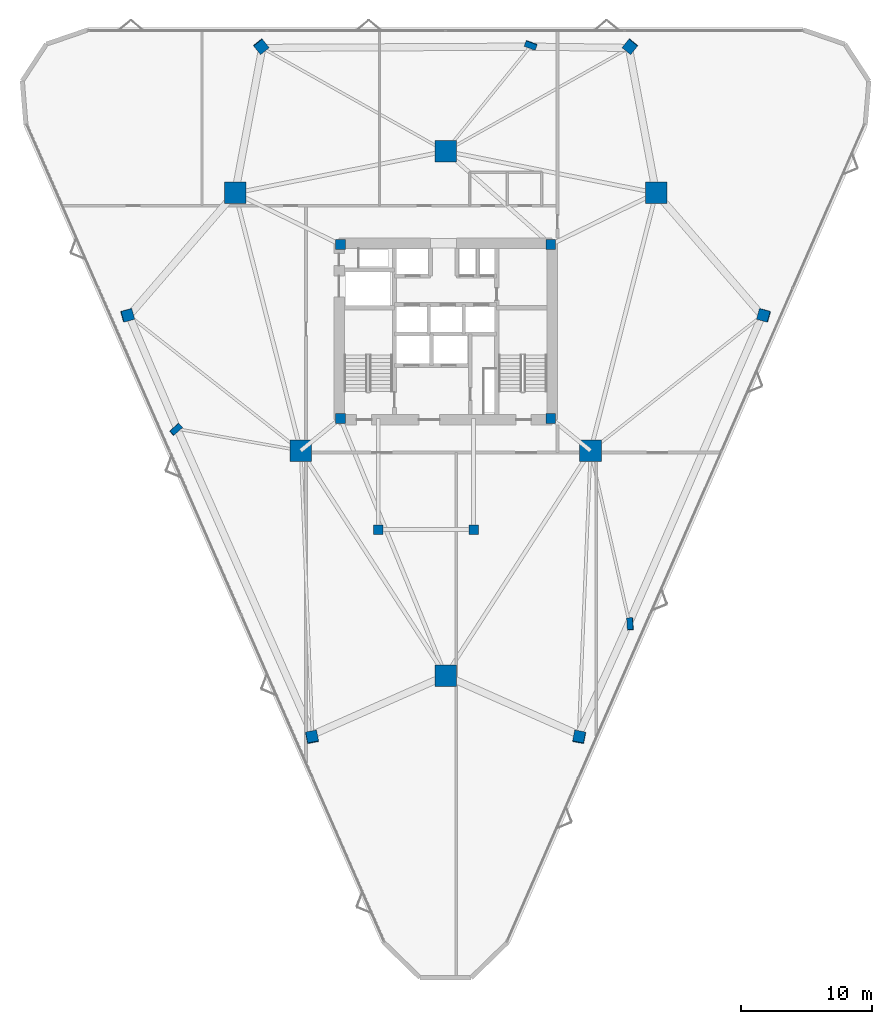
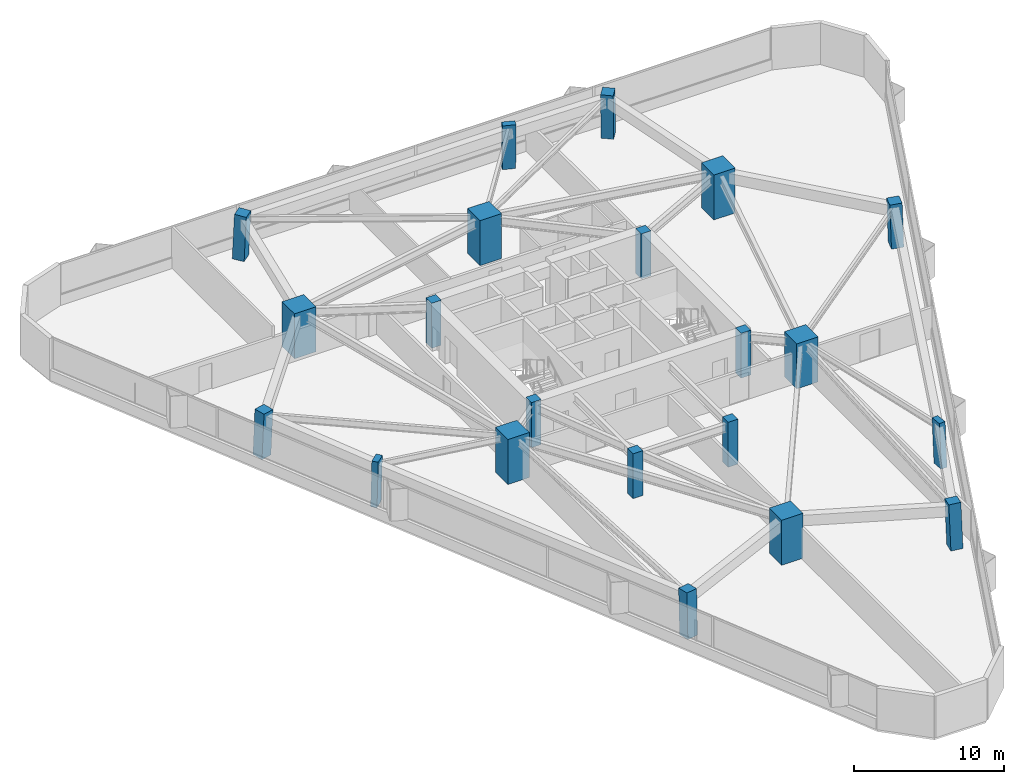
# One storey, part 1 of 20: 21 columns.
"""IFC4 building model written with IfcOpenShell, lengths in metres."""

from ifc_helpers import new_model, si_unit, direction, frame, origin, origin_2d, place, context, subcontext, project, spatial, rectangle, extrude, material, material_profile, profile_set, type_object, element, save


model = new_model("IFC4")

# Units and contexts
model_context = context("Model", 3, precision=1e-05, world=origin(), true_north=direction((0.0, 1.0)))
body_context = subcontext(model_context, "Body", "Model", "MODEL_VIEW")
ifc_project = project(units=[si_unit("LENGTHUNIT", "METRE"), si_unit("AREAUNIT", "SQUARE_METRE"), si_unit("VOLUMEUNIT", "CUBIC_METRE"), si_unit("PLANEANGLEUNIT", "RADIAN"), si_unit("MASSUNIT", "GRAM", prefix="KILO")], contexts=[model_context])

# Site, building, storey
site_placement = place(None, origin())
site = spatial("IfcSite", under=ifc_project, at=site_placement, CompositionType="ELEMENT")
building_placement = place(site_placement, origin())
building = spatial("IfcBuilding", under=site, at=building_placement, Name="Talyreon Biosciences Tower", CompositionType="ELEMENT")
storey_placement = place(building_placement, frame((0.0, 0.0, 75.0)))
storey = spatial("IfcBuildingStorey", under=building, at=storey_placement, Name="L19", CompositionType="ELEMENT", Elevation=75.0)

# Columns
ifc_material_1 = material(Name="Precast concrete C45/55", Category="concrete")
ifc_material_profile_1 = material_profile(ifc_material_1, rectangle(XDim=0.89990234375, YDim=0.449951171875, at=origin_2d()), Name="RC 900x450")
ifc_profile_set_1 = profile_set([ifc_material_profile_1], Name="Precast concrete C45/55")
column_type_1 = type_object("IfcColumnType", Name="FacadePilaster_900x450", PredefinedType="PILASTER", material=ifc_profile_set_1)
column_1_placement = place(storey_placement, frame((80.12353515625, 45.605712890625, 0.0029296875), z_axis=(-0.019611953815, 0.038353752683, 0.999071749637), x_axis=(0.059888729762, -0.997424565309, 0.039466144563)))
element("IfcColumn", 1, at=column_1_placement, inside=storey, type_object=column_type_1, Name="L19 Facade Pilaster PL-SE", PredefinedType="PILASTER", context=body_context, shape_type="SweptSolid", body=[
    extrude(rectangle(XDim=0.89990234375, YDim=0.449951171875, at=origin_2d()), origin(), (0.0, 0.0, 1.0), 3.6474609375),
])
column_2_placement = place(storey_placement, frame((72.518798828125, 89.914794921875, 0.0029296875), z_axis=(-0.012453496874, -0.033544096418, 0.99935964698), x_axis=(-0.937477612418, 0.348045580658, 0.0)))
element("IfcColumn", 2, at=column_2_placement, inside=storey, type_object=column_type_1, Name="L19 Facade Pilaster PL-N", PredefinedType="PILASTER", context=body_context, shape_type="SweptSolid", body=[
    extrude(rectangle(XDim=0.89990234375, YDim=0.449951171875, at=origin_2d()), origin(), (0.0, 0.0, 1.0), 3.646484375),
])
column_3_placement = place(storey_placement, frame((45.357666015625, 60.50732421875, 0.0029296875), z_axis=(0.032073367297, 0.010512565064, 0.999430230224), x_axis=(0.745277761869, 0.666036657731, -0.030922940051)))
element("IfcColumn", 3, at=column_3_placement, inside=storey, type_object=column_type_1, Name="L19 Facade Pilaster PL-SW", PredefinedType="PILASTER", context=body_context, shape_type="SweptSolid", body=[
    extrude(rectangle(XDim=0.89990234375, YDim=0.449951171875, at=origin_2d()), origin(), (0.0, 0.0, 1.0), 3.646240234375),
])
ifc_material_2 = material(Name="Concrete C60/75", Category="concrete")
ifc_material_profile_2 = material_profile(ifc_material_2, rectangle(XDim=1.64990234375, YDim=1.64990234375, at=origin_2d()), Name="RC 1650x1650")
ifc_profile_set_2 = profile_set([ifc_material_profile_2], Name="Concrete C60/75")
column_type_2 = type_object("IfcColumnType", Name="MegaColumn_1650", PredefinedType="COLUMN", material=ifc_profile_set_2)
for number, where, z_axis, x_axis, name in (
    (4, (66.0, 41.6669921875, 0.0), (0.0, 0.0, 1.0), (1.0, 0.0, 0.0), "L19 Composite Mega-Column MC1"),
    (5, (82.102294921875, 78.5986328125, 0.0), (0.0, 0.0, 1.0), (1.0, 0.0, 0.0), "L19 Composite Mega-Column MC2"),
    (6, (49.897705078125, 78.5986328125, 0.0), (0.0, 0.0, 1.0), (1.0, 0.0, 0.0), "L19 Composite Mega-Column MC3"),
    (7, (77.086181640625, 58.88037109375, 0.0), (0.0, 0.0, 1.0), (1.0, 0.0, 0.0), "L19 Composite Mega-Column MC4"),
    (8, (66.0, 81.788818359375, 0.0), (0.0, 0.0, 1.0), (1.0, 0.0, 0.0), "L19 Composite Mega-Column MC5"),
    (9, (54.913818359375, 58.88037109375, 0.0), (0.0, 0.0, 1.0), (1.0, 0.0, 0.0), "L19 Composite Mega-Column MC6"),
):
    element("IfcColumn", number, at=place(storey_placement, frame(where, z_axis=z_axis, x_axis=x_axis)), inside=storey, type_object=column_type_2, Name=name, PredefinedType="COLUMN", context=body_context, shape_type="SweptSolid", body=[
        extrude(rectangle(XDim=1.64990234375, YDim=1.64990234375, at=origin_2d()), origin(), (0.0, 0.0, 1.0), 3.64990234375),
    ])
ifc_material_3 = material(Name="Concrete C50/60", Category="concrete")
ifc_material_profile_3 = material_profile(ifc_material_3, rectangle(XDim=0.75, YDim=0.75, at=origin_2d()), Name="RC 750x750")
ifc_profile_set_3 = profile_set([ifc_material_profile_3], Name="Concrete C50/60")
column_type_3 = type_object("IfcColumnType", Name="PerimeterColumn_750", PredefinedType="COLUMN", material=ifc_profile_set_3)
for number, where, z_axis, x_axis, name in (
    (10, (57.949951171875, 61.35009765625, 0.0), (0.0, 0.0, 1.0), (1.0, 0.0, 0.0), "L19 Core Column CC1"),
    (11, (74.050048828125, 61.35009765625, 0.0), (0.0, 0.0, 1.0), (1.0, 0.0, 0.0), "L19 Core Column CC2"),
    (12, (74.050048828125, 74.64990234375, 0.0), (0.0, 0.0, 1.0), (1.0, 0.0, 0.0), "L19 Core Column CC3"),
    (13, (57.949951171875, 74.64990234375, 0.0), (0.0, 0.0, 1.0), (1.0, 0.0, 0.0), "L19 Core Column CC4"),
    (14, (60.85009765625, 52.840087890625, 0.0), (0.0, 0.0, 1.0), (1.0, 0.0, 0.0), "L19 Core Column CSW"),
    (15, (68.14990234375, 52.840087890625, 0.0), (0.0, 0.0, 1.0), (1.0, 0.0, 0.0), "L19 Core Column CSE"),
):
    element("IfcColumn", number, at=place(storey_placement, frame(where, z_axis=z_axis, x_axis=x_axis)), inside=storey, type_object=column_type_3, Name=name, PredefinedType="COLUMN", context=body_context, shape_type="SweptSolid", body=[
        extrude(rectangle(XDim=0.75, YDim=0.75, at=origin_2d()), origin(), (0.0, 0.0, 1.0), 3.64990234375),
    ])
ifc_material_profile_4 = material_profile(ifc_material_2, rectangle(XDim=0.85009765625, YDim=0.85009765625, at=origin_2d()), Name="RC 850x850")
ifc_profile_set_4 = profile_set([ifc_material_profile_4], Name="Concrete C60/75")
column_type_4 = type_object("IfcColumnType", Name="PerimeterColumn_850", PredefinedType="COLUMN", material=ifc_profile_set_4)
column_4_placement = place(storey_placement, frame((76.229248046875, 36.953369140625, 0.0029296875), z_axis=(-0.012375141264, 0.054450621561, 0.998439775695), x_axis=(-0.188087847119, -0.980818932993, 0.05115840545)))
element("IfcColumn", 16, at=column_4_placement, inside=storey, type_object=column_type_4, Name="L19 Tapering Perimeter Column PC-SE1", PredefinedType="COLUMN", context=body_context, shape_type="SweptSolid", body=[
    extrude(rectangle(XDim=0.85009765625, YDim=0.85009765625, at=origin_2d()), origin(), (0.0, 0.0, 1.0), 3.649658203125),
])
column_5_placement = place(storey_placement, frame((90.353271484375, 69.239990234375, 0.0029296875), z_axis=(-0.039229493406, -0.00569028488, 0.999214024874), x_axis=(0.963504381608, -0.265217589574, 0.036317169537)))
element("IfcColumn", 17, at=column_5_placement, inside=storey, type_object=column_type_4, Name="L19 Tapering Perimeter Column PC-SE2", PredefinedType="COLUMN", context=body_context, shape_type="SweptSolid", body=[
    extrude(rectangle(XDim=0.85009765625, YDim=0.85009765625, at=origin_2d()), origin(), (0.0, 0.0, 1.0), 3.64697265625),
])
for number, where, z_axis, x_axis, name in (
    (18, (80.1240234375, 89.814697265625, 0.0029296875), (-0.026907963191, -0.033534551141, 0.999075270136), (-0.779956681152, 0.625833504637, 0.0), "L19 Tapering Perimeter Column PC-N1"),
    (19, (51.8759765625, 89.814697265625, 0.0029296875), (0.026907963191, -0.033534551141, 0.999075270136), (-0.779956681152, -0.625833504637, 0.0), "L19 Tapering Perimeter Column PC-N2"),
):
    element("IfcColumn", number, at=place(storey_placement, frame(where, z_axis=z_axis, x_axis=x_axis)), inside=storey, type_object=column_type_4, Name=name, PredefinedType="COLUMN", context=body_context, shape_type="SweptSolid", body=[
        extrude(rectangle(XDim=0.85009765625, YDim=0.85009765625, at=origin_2d()), origin(), (0.0, 0.0, 1.0), 3.6474609375),
    ])
column_6_placement = place(storey_placement, frame((41.646728515625, 69.239990234375, 0.0029296875), z_axis=(0.039229493406, -0.00569028488, 0.999214024874), x_axis=(0.963504381608, 0.265217589574, -0.036317169537)))
element("IfcColumn", 20, at=column_6_placement, inside=storey, type_object=column_type_4, Name="L19 Tapering Perimeter Column PC-SW1", PredefinedType="COLUMN", context=body_context, shape_type="SweptSolid", body=[
    extrude(rectangle(XDim=0.85009765625, YDim=0.85009765625, at=origin_2d()), origin(), (0.0, 0.0, 1.0), 3.64697265625),
])
column_7_placement = place(storey_placement, frame((55.770751953125, 36.953369140625, 0.0029296875), z_axis=(0.012375141264, 0.054450621561, 0.998439775695), x_axis=(-0.188087847119, 0.980818932993, -0.05115840545)))
element("IfcColumn", 21, at=column_7_placement, inside=storey, type_object=column_type_4, Name="L19 Tapering Perimeter Column PC-SW2", PredefinedType="COLUMN", context=body_context, shape_type="SweptSolid", body=[
    extrude(rectangle(XDim=0.85009765625, YDim=0.85009765625, at=origin_2d()), origin(), (0.0, 0.0, 1.0), 3.649658203125),
])

save(model, "model.ifc")
